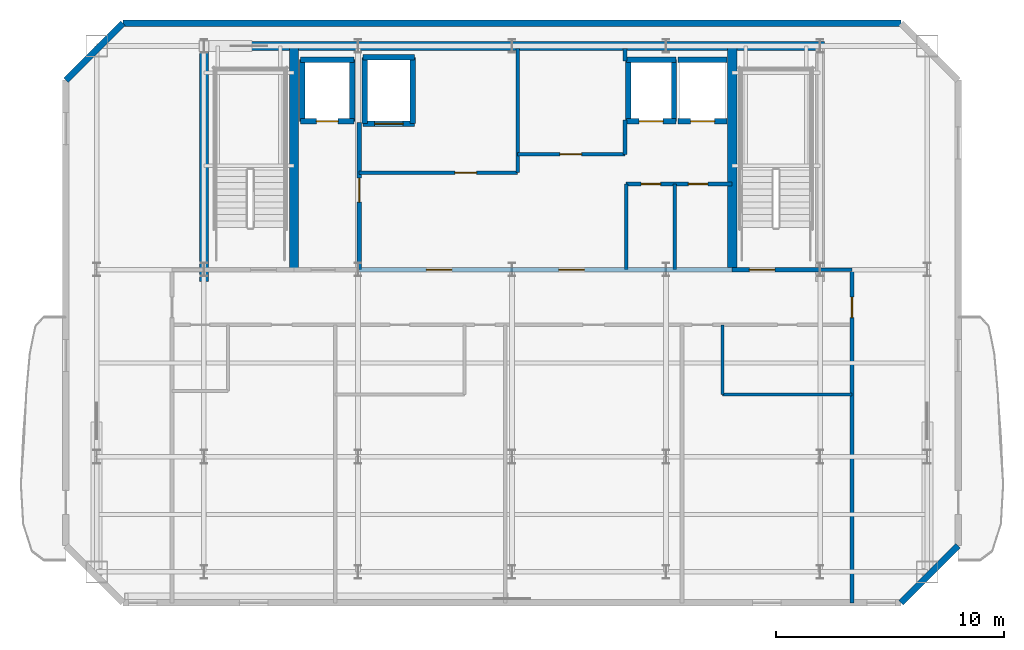
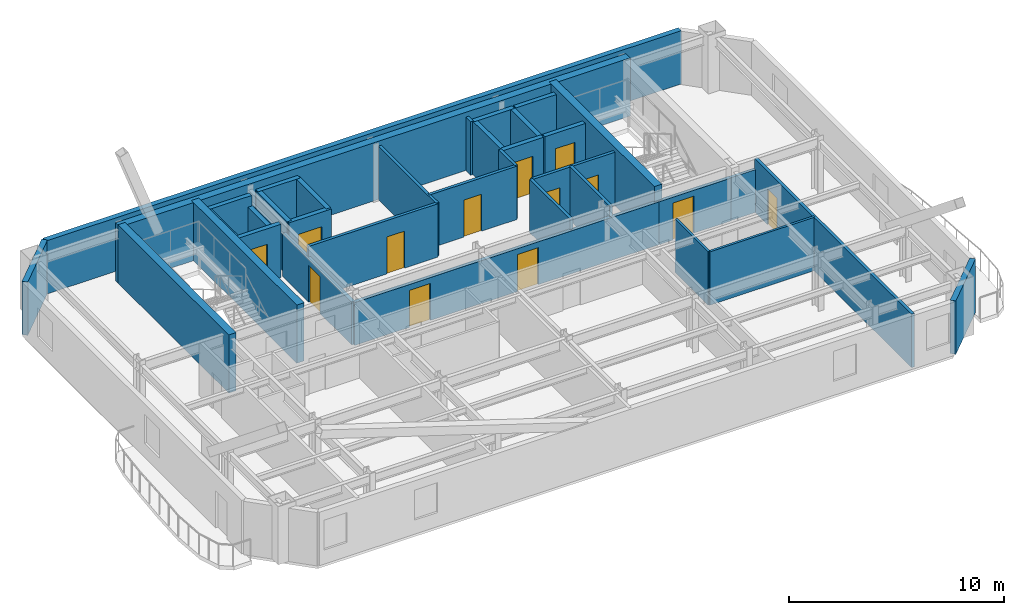
# One storey, part 3 of 6: 36 walls, 13 doors, 13 openings.
"""IFC4 building model written with IfcOpenShell, lengths in metres."""

import ifcopenshell
import ifcopenshell.guid

model = None  # the IFC model being written
_history = None  # IfcOwnerHistory: only IFC2X3 demands one
_inside = {}  # id of a spatial element -> (the spatial element, [elements in it])
_under = {}  # id of a project, library or spatial element -> (it, [spatial elements below it])
_declared = {}  # id of a project -> (the project, [libraries it declares])
_typed = {}  # id of a type object -> (the type object, [elements of that type])
_made_of = {}  # id of a material, layer set ... -> (it, [elements and type objects made of it])


def new_model(schema):
    """Start an empty IFC model of exactly this schema.

    Asked for "IFC4X3", IfcOpenShell would pick the latest addendum, in which some entities
    have other attributes; the version numbers below select the first issue.
    IFC2X3 requires an IfcOwnerHistory on every rooted entity: one is made here for all.
    """
    global model, _history
    if schema == "IFC4X3":
        model = ifcopenshell.file(schema_version=(4, 3, 0, 0))
    else:
        model = ifcopenshell.file(schema=schema)
    _inside.clear()
    _under.clear()
    _declared.clear()
    _typed.clear()
    _made_of.clear()
    _history = None
    if model.schema == "IFC2X3":
        org = make("IfcOrganization", Name="unknown")
        user = make(
            "IfcPersonAndOrganization",
            ThePerson=make("IfcPerson", FamilyName="unknown"),
            TheOrganization=org,
        )
        app = make(
            "IfcApplication",
            ApplicationDeveloper=org,
            Version="unknown",
            ApplicationFullName="unknown",
            ApplicationIdentifier="unknown",
        )
        _history = make(
            "IfcOwnerHistory",
            OwningUser=user,
            OwningApplication=app,
            ChangeAction="ADDED",
            CreationDate=0,
        )
    return model


def make(cls, **values):
    """One entity of the class cls with the attributes given. An attribute that is None is left unset."""
    return model.create_entity(
        cls, **{name: value for name, value in values.items() if value is not None}
    )


def rooted(cls, **values):
    """An entity with a GlobalId (a new one), such as an element, a storey or a relation."""
    return make(cls, GlobalId=ifcopenshell.guid.new(), OwnerHistory=_history, **values)


def si_unit(unit_type, name, prefix=None):
    """IfcSIUnit, for example si_unit("LENGTHUNIT", "METRE", prefix="MILLI")."""
    return make("IfcSIUnit", UnitType=unit_type, Prefix=prefix, Name=name)


def assignment(units):
    """IfcUnitAssignment: the units of a project."""
    return None if units is None else make("IfcUnitAssignment", Units=units)


def point(xyz):
    """IfcCartesianPoint."""
    return None if xyz is None else make("IfcCartesianPoint", Coordinates=xyz)


def direction(xyz):
    """IfcDirection."""
    return None if xyz is None else make("IfcDirection", DirectionRatios=xyz)


def frame(location, z_axis=None, x_axis=None):
    """IfcAxis2Placement3D, a coordinate frame: its origin and axes. An axis left out is left unset."""
    return make(
        "IfcAxis2Placement3D",
        Location=point(location),
        Axis=direction(z_axis),
        RefDirection=direction(x_axis),
    )


def frame_2d(location, x_axis=None):
    """IfcAxis2Placement2D, a coordinate frame in the plane: its origin and x axis."""
    return make(
        "IfcAxis2Placement2D", Location=point(location), RefDirection=direction(x_axis)
    )


def origin():
    """The frame at (0, 0, 0) with its axes left unset."""
    return frame((0.0, 0.0, 0.0))


def place(relative_to, where):
    """IfcLocalPlacement: puts the frame where relative to a parent placement (None: the world)."""
    return make(
        "IfcLocalPlacement", PlacementRelTo=relative_to, RelativePlacement=where
    )


def context(
    kind, dimensions, precision=None, world=None, true_north=None, identifier=None
):
    """IfcGeometricRepresentationContext, for example the 3D "Model" context."""
    return make(
        "IfcGeometricRepresentationContext",
        ContextIdentifier=identifier,
        ContextType=kind,
        CoordinateSpaceDimension=dimensions,
        Precision=precision,
        WorldCoordinateSystem=world,
        TrueNorth=true_north,
    )


def subcontext(parent, identifier, kind, view, scale=None):
    """IfcGeometricRepresentationSubContext, for example "Body" below "Model"."""
    return make(
        "IfcGeometricRepresentationSubContext",
        ContextIdentifier=identifier,
        ContextType=kind,
        ParentContext=parent,
        TargetScale=scale,
        TargetView=view,
    )


def project(units=None, contexts=None):
    """IfcProject with its units and contexts."""
    return rooted(
        "IfcProject",
        Name="project",
        RepresentationContexts=contexts,
        UnitsInContext=assignment(units),
    )


def spatial(cls, under=None, at=None, **own):
    """A site, building, storey or space (cls), placed at a placement, below another one or the project."""
    s = rooted(cls, ObjectPlacement=at, **own)
    if under is not None:
        _under.setdefault(under.id(), (under, []))[1].append(s)
    return s


def profile(cls, at=None, kind="AREA", **sizes):
    """A parametric profile (cls). Its sizes go by their IFC names, for example OverallWidth=200.0."""
    return make(cls, ProfileType=kind, Position=at, **sizes)


def rectangle(**sizes):
    """IfcRectangleProfileDef."""
    return profile("IfcRectangleProfileDef", **sizes)


def extrude(swept, where, along, depth):
    """IfcExtrudedAreaSolid: the profile swept, set in the frame where, extruded along a direction by depth."""
    return make(
        "IfcExtrudedAreaSolid",
        SweptArea=swept,
        Position=where,
        ExtrudedDirection=direction(along),
        Depth=depth,
    )


def shape(context_of_items, identifier, shape_type, items):
    """IfcShapeRepresentation: the items that make up one representation, for example the "Body"."""
    return make(
        "IfcShapeRepresentation",
        ContextOfItems=context_of_items,
        RepresentationIdentifier=identifier,
        RepresentationType=shape_type,
        Items=items,
    )


def material(Name=None, Category=None):
    """IfcMaterial."""
    return make("IfcMaterial", Name=Name, Category=Category)


def layer(
    of_material, thickness, ventilated=None, Name=None, Category=None, Priority=None
):
    """IfcMaterialLayer: one layer of a wall or slab, of a material (None: an air gap)."""
    return make(
        "IfcMaterialLayer",
        Material=of_material,
        LayerThickness=thickness,
        IsVentilated=ventilated,
        Name=Name,
        Category=Category,
        Priority=Priority,
    )


def layer_set(layers, Name=None):
    """IfcMaterialLayerSet."""
    return make("IfcMaterialLayerSet", MaterialLayers=layers, LayerSetName=Name)


def made_of(thing, what):
    """Note that an element or type object is made of a material, layer set ...; save() writes the relation."""
    if what is not None:
        _made_of.setdefault(what.id(), (what, []))[1].append(thing)
    return thing


def type_object(cls, material=None, **own):
    """A type object (cls), such as IfcWallType, which elements share."""
    return made_of(rooted(cls, **own), material)


def element(
    cls,
    number,
    at=None,
    inside=None,
    cuts=None,
    type_object=None,
    material=None,
    context=None,
    identifier="Body",
    shape_type=None,
    held_by="IfcProductDefinitionShape",
    body=None,
    shapes=None,
    **own,
):
    """One element of the class cls, such as IfcWall. Its Tag is "e" and its number.

    at: its placement. inside: the storey or other place that contains it. cuts: it is an
    opening in that element (IfcRelVoidsElement). A single representation is given by context,
    identifier, shape_type and body (its items); several are given by shapes. held_by: the class
    of the entity that holds the representations. save() writes the other relations.
    """
    e = rooted(cls, Tag="e%d" % number, ObjectPlacement=at, **own)
    if body is not None:
        shapes = [shape(context, identifier, shape_type, body)]
    if shapes is not None:
        e.Representation = make(held_by, Representations=shapes)
    if inside is not None:
        _inside.setdefault(inside.id(), (inside, []))[1].append(e)
    if cuts is not None:
        rooted(
            "IfcRelVoidsElement", RelatingBuildingElement=cuts, RelatedOpeningElement=e
        )
    if type_object is not None:
        _typed.setdefault(type_object.id(), (type_object, []))[1].append(e)
    return made_of(e, material)


def fill(opening, filler):
    """IfcRelFillsElement: the door or window that sits in an opening."""
    return rooted(
        "IfcRelFillsElement",
        RelatingOpeningElement=opening,
        RelatedBuildingElement=filler,
    )


def aggregate(whole, parts):
    """IfcRelAggregates: a whole, such as a stair, and the parts it consists of."""
    return rooted("IfcRelAggregates", RelatingObject=whole, RelatedObjects=parts)


def save(model, path):
    """Write the relations noted so far, then the file.

    IfcRelAggregates (storeys below a building ...), IfcRelContainedInSpatialStructure (elements
    in a storey), IfcRelDefinesByType, IfcRelAssociatesMaterial and IfcRelDeclares: one each for
    every whole, place, type object, material and project.
    """
    for whole, parts in _under.values():
        aggregate(whole, parts)
    for where, things in _inside.values():
        rooted(
            "IfcRelContainedInSpatialStructure",
            RelatedElements=things,
            RelatingStructure=where,
        )
    for kind, things in _typed.values():
        rooted("IfcRelDefinesByType", RelatedObjects=things, RelatingType=kind)
    for what, things in _made_of.values():
        rooted("IfcRelAssociatesMaterial", RelatedObjects=things, RelatingMaterial=what)
    for by, libraries in _declared.values():
        rooted("IfcRelDeclares", RelatingContext=by, RelatedDefinitions=libraries)
    model.write(path)


model = new_model("IFC4")

# Units and contexts
model_context = context("Model", 3, precision=1e-05, world=origin(), true_north=direction((0.0, 1.0)))
body_context = subcontext(model_context, "Body", "Model", "MODEL_VIEW")
ifc_project = project(units=[si_unit("LENGTHUNIT", "METRE"), si_unit("AREAUNIT", "SQUARE_METRE"), si_unit("VOLUMEUNIT", "CUBIC_METRE"), si_unit("PLANEANGLEUNIT", "RADIAN"), si_unit("MASSUNIT", "GRAM", prefix="KILO")], contexts=[model_context])

# Site, building, storey
site_placement = place(None, origin())
site = spatial("IfcSite", under=ifc_project, at=site_placement, CompositionType="ELEMENT")
building_placement = place(site_placement, origin())
building = spatial("IfcBuilding", under=site, at=building_placement, Name="Haevon Station Towers", CompositionType="ELEMENT")
storey_placement = place(building_placement, frame((0.0, 0.0, 262.5)))
storey = spatial("IfcBuildingStorey", under=building, at=storey_placement, Name="L73", CompositionType="ELEMENT", Elevation=262.5)

# Wall, opening, door
ifc_material_1 = material(Name="Gypsum board on steel stud", Category="steel")
ifc_layer_1 = layer(ifc_material_1, 0.199951171875)
ifc_layer_set_1 = layer_set([ifc_layer_1], Name="Gypsum board on steel stud")
wall_type_1 = type_object("IfcWallType", Name="WL-COR200", PredefinedType="PARTITIONING", material=ifc_layer_set_1)
wall_1_placement = place(storey_placement, frame((47.14990234375, 38.199951171875, 0.0), z_axis=(0.0, 0.0, 1.0), x_axis=(1.0, 0.0, 0.0)))
wall_1 = element("IfcWall", 1, at=wall_1_placement, inside=storey, type_object=wall_type_1, Name="WL-ST-ST2-L73", PredefinedType="PARTITIONING", context=body_context, shape_type="SweptSolid", body=[
    extrude(rectangle(XDim=3.85009765625, YDim=0.199951171875, at=frame_2d((1.925048828125, 0.0))), origin(), (0.0, 0.0, 1.0), 2.429931640625),
])
opening_1_placement = place(wall_1_placement, frame((0.75, 0.0, 0.0)))
opening_1 = element("IfcOpeningElement", 2, at=opening_1_placement, cuts=wall_1, Name="Opening DR-ST-ST2-L73", PredefinedType="OPENING", context=body_context, shape_type="SweptSolid", body=[
    extrude(rectangle(XDim=1.1201171875, YDim=2.10009765625, at=frame_2d((0.56005859375, 1.050048828125))), frame((0.0, 0.10986328125, 0.0), z_axis=(0.0, -1.0, 0.0), x_axis=(1.0, 0.0, 0.0)), (0.0, 0.0, 1.0), 0.219970703125),
])
ifc_material_2 = material(Name="Engineered oak timber", Category="wood")
door_type_1 = type_object("IfcDoorType", Name="DR-ST-1120", OperationType="NOTDEFINED", PredefinedType="DOOR", material=ifc_material_2)
door_1_placement = place(opening_1_placement, origin())
door_1 = element("IfcDoor", 3, at=door_1_placement, inside=storey, type_object=door_type_1, Name="L73 Escape Stair ST2 Fire Door", OperationType="SINGLE_SWING_LEFT", OverallHeight=2.10009765625, OverallWidth=1.1201171875, PredefinedType="DOOR", context=body_context, shape_type="SweptSolid", body=[
    extrude(rectangle(XDim=1.1201171875, YDim=2.10009765625, at=frame_2d((0.56005859375, 1.050048828125))), frame((0.0, 0.02490234375, 0.0), z_axis=(0.0, -1.0, 0.0), x_axis=(1.0, 0.0, 0.0)), (0.0, 0.0, 1.0), 0.050048828125),
])
fill(opening_1, door_1)

wall_2_placement = place(storey_placement, frame((30.800048828125, 38.199951171875, 0.0), z_axis=(0.0, 0.0, 1.0), x_axis=(0.0, 1.0, 0.0)))
wall_2 = element("IfcWall", 4, at=wall_2_placement, inside=storey, type_object=wall_type_1, Name="WL-T1FFL-L73-E", PredefinedType="PARTITIONING", context=body_context, shape_type="SweptSolid", body=[
    extrude(rectangle(XDim=6.449951171875, YDim=0.199951171875, at=frame_2d((3.22509765625, 0.0))), origin(), (0.0, 0.0, 1.0), 2.429931640625),
])
opening_2_placement = place(wall_2_placement, frame((2.9599609375, 0.0, 0.0)))
opening_2 = element("IfcOpeningElement", 5, at=opening_2_placement, cuts=wall_2, Name="Opening DR-T1FFL-L73-E", PredefinedType="OPENING", context=body_context, shape_type="SweptSolid", body=[
    extrude(rectangle(XDim=1.050048828125, YDim=2.10009765625, at=frame_2d((0.52490234375, 1.050048828125))), frame((0.0, 0.10986328125, 0.0), z_axis=(0.0, -1.0, 0.0), x_axis=(1.0, 0.0, 0.0)), (0.0, 0.0, 1.0), 0.219970703125),
])
door_type_2 = type_object("IfcDoorType", Name="DR-FD60-1050", OperationType="NOTDEFINED", PredefinedType="DOOR", material=ifc_material_2)
door_2_placement = place(opening_2_placement, origin())
door_2 = element("IfcDoor", 6, at=door_2_placement, inside=storey, type_object=door_type_2, Name="L73 Tower 1 Firefighting Lift Lobby Door E", OperationType="SINGLE_SWING_RIGHT", OverallHeight=2.10009765625, OverallWidth=1.050048828125, PredefinedType="DOOR", context=body_context, shape_type="SweptSolid", body=[
    extrude(rectangle(XDim=1.050048828125, YDim=2.10009765625, at=frame_2d((0.52490234375, 1.050048828125))), frame((0.0, 0.02490234375, 0.0), z_axis=(0.0, -1.0, 0.0), x_axis=(1.0, 0.0, 0.0)), (0.0, 0.0, 1.0), 0.050048828125),
])
fill(opening_2, door_2)

# Wall, openings, doors
wall_3_placement = place(storey_placement, frame((30.800048828125, 38.199951171875, 0.0), z_axis=(0.0, 0.0, 1.0), x_axis=(1.0, 0.0, 0.0)))
wall_3 = element("IfcWall", 7, at=wall_3_placement, inside=storey, type_object=wall_type_1, Name="WL-T1CLB-L73", PredefinedType="PARTITIONING", context=body_context, shape_type="SweptSolid", body=[
    extrude(rectangle(XDim=16.349853515625, YDim=0.199951171875, at=frame_2d((8.1748046875, 0.0))), origin(), (0.0, 0.0, 1.0), 2.429931640625),
])
opening_3_placement = place(wall_3_placement, frame((2.949951171875, 0.0, 0.0)))
opening_3 = element("IfcOpeningElement", 8, at=opening_3_placement, cuts=wall_3, Name="Opening DR-T1CLB-L73-1", PredefinedType="OPENING", context=body_context, shape_type="SweptSolid", body=[
    extrude(rectangle(XDim=1.1201171875, YDim=2.10009765625, at=frame_2d((0.56005859375, 1.050048828125))), frame((0.0, 0.10986328125, 0.0), z_axis=(0.0, -1.0, 0.0), x_axis=(1.0, 0.0, 0.0)), (0.0, 0.0, 1.0), 0.219970703125),
])
opening_4_placement = place(wall_3_placement, frame((8.75, 0.0, 0.0)))
opening_4 = element("IfcOpeningElement", 9, at=opening_4_placement, cuts=wall_3, Name="Opening DR-T1CLB-L73-2", PredefinedType="OPENING", context=body_context, shape_type="SweptSolid", body=[
    extrude(rectangle(XDim=1.1201171875, YDim=2.10009765625, at=frame_2d((0.56005859375, 1.050048828125))), frame((0.0, 0.10986328125, 0.0), z_axis=(0.0, -1.0, 0.0), x_axis=(1.0, 0.0, 0.0)), (0.0, 0.0, 1.0), 0.219970703125),
])
door_3_placement = place(opening_3_placement, origin())
door_3 = element("IfcDoor", 10, at=door_3_placement, inside=storey, type_object=door_type_1, Name="L73 Tower 1 Core Lift Lobby Door 1", OperationType="SINGLE_SWING_RIGHT", OverallHeight=2.10009765625, OverallWidth=1.1201171875, PredefinedType="DOOR", context=body_context, shape_type="SweptSolid", body=[
    extrude(rectangle(XDim=1.1201171875, YDim=2.10009765625, at=frame_2d((0.56005859375, 1.050048828125))), frame((0.0, 0.02490234375, 0.0), z_axis=(0.0, -1.0, 0.0), x_axis=(1.0, 0.0, 0.0)), (0.0, 0.0, 1.0), 0.050048828125),
])
fill(opening_3, door_3)
door_4_placement = place(opening_4_placement, origin())
door_4 = element("IfcDoor", 11, at=door_4_placement, inside=storey, type_object=door_type_1, Name="L73 Tower 1 Core Lift Lobby Door 2", OperationType="SINGLE_SWING_LEFT", OverallHeight=2.10009765625, OverallWidth=1.1201171875, PredefinedType="DOOR", context=body_context, shape_type="SweptSolid", body=[
    extrude(rectangle(XDim=1.1201171875, YDim=2.10009765625, at=frame_2d((0.56005859375, 1.050048828125))), frame((0.0, 0.02490234375, 0.0), z_axis=(0.0, -1.0, 0.0), x_axis=(1.0, 0.0, 0.0)), (0.0, 0.0, 1.0), 0.050048828125),
])
fill(opening_4, door_4)

# Walls
ifc_material_3 = material(Name="Concrete C60/75", Category="concrete")
ifc_layer_2 = layer(ifc_material_3, 0.39990234375)
ifc_layer_set_2 = layer_set([ifc_layer_2], Name="Concrete C60/75")
wall_type_2 = type_object("IfcWallType", Name="WL-CR400", PredefinedType="SHEAR", material=ifc_layer_set_2)
wall_4_placement = place(storey_placement, frame((23.800048828125, 48.0, 0.0), z_axis=(0.0, 0.0, 1.0), x_axis=(1.0, 0.0, 0.0)))
element("IfcWall", 12, at=wall_4_placement, inside=storey, type_object=wall_type_2, Name="WL-T1CR-L73-N", PredefinedType="SHEAR", context=body_context, shape_type="SweptSolid", body=[
    extrude(rectangle(XDim=27.39990234375, YDim=0.39990234375, at=frame_2d((13.699951171875, 0.0))), origin(), (0.0, 0.0, 1.0), 3.300048828125),
])
wall_5_placement = place(storey_placement, frame((24.0, 37.679931640625, 0.0), z_axis=(0.0, 0.0, 1.0), x_axis=(0.0, 1.0, 0.0)))
element("IfcWall", 13, at=wall_5_placement, inside=storey, type_object=wall_type_2, Name="WL-T1CR-L73-W", PredefinedType="SHEAR", context=body_context, shape_type="SweptSolid", body=[
    extrude(rectangle(XDim=10.320068359375, YDim=0.39990234375, at=frame_2d((5.16015625, 0.0))), origin(), (0.0, 0.0, 1.0), 3.300048828125),
])
for number, where, z_axis, x_axis, name in (
    (14, (27.949951171875, 38.199951171875, 0.0), (0.0, 0.0, 1.0), (0.0, 1.0, 0.0), "WL-T1CR-L73-M1"),
    (15, (47.14990234375, 38.199951171875, 0.0), (0.0, 0.0, 1.0), (0.0, 1.0, 0.0), "WL-T1CR-L73-M2"),
):
    element("IfcWall", number, at=place(storey_placement, frame(where, z_axis=z_axis, x_axis=x_axis)), inside=storey, type_object=wall_type_2, Name=name, PredefinedType="SHEAR", context=body_context, shape_type="SweptSolid", body=[
        extrude(rectangle(XDim=9.800048828125, YDim=0.39990234375, at=frame_2d((4.89990234375, 0.0))), origin(), (0.0, 0.0, 1.0), 3.300048828125),
    ])
ifc_material_4 = material(Name="Precast concrete C45/55", Category="concrete")
ifc_layer_3 = layer(ifc_material_4, 0.280029296875)
ifc_layer_set_3 = layer_set([ifc_layer_3], Name="Precast concrete C45/55")
wall_type_3 = type_object("IfcWallType", Name="WL-EXT-PIER280", PredefinedType="SOLIDWALL", material=ifc_layer_set_3)
wall_6_placement = place(storey_placement, frame((17.949951171875, 46.5, 0.0), z_axis=(0.0, 0.0, 1.0), x_axis=(0.707106781187, 0.707106781187, 0.0)))
element("IfcWall", 16, at=wall_6_placement, inside=storey, type_object=wall_type_3, Name="WL-T1-L73-NWC", PredefinedType="SOLIDWALL", context=body_context, shape_type="SweptSolid", body=[
    extrude(rectangle(XDim=3.53564453125, YDim=0.280029296875, at=frame_2d((1.767822265625, 0.0))), origin(), (0.0, 0.0, 1.0), 3.030029296875),
])
wall_7_placement = place(storey_placement, frame((20.449951171875, 49.0, 0.0), z_axis=(0.0, 0.0, 1.0), x_axis=(1.0, 0.0, 0.0)))
element("IfcWall", 17, at=wall_7_placement, inside=storey, type_object=wall_type_3, Name="WL-T1-L73-N", PredefinedType="SOLIDWALL", context=body_context, shape_type="SweptSolid", body=[
    extrude(rectangle(XDim=34.10009765625, YDim=0.280029296875, at=frame_2d((17.050048828125, 0.0))), origin(), (0.0, 0.0, 1.0), 3.030029296875),
])
wall_8_placement = place(storey_placement, frame((57.050048828125, 26.10009765625, 0.0), z_axis=(0.0, 0.0, 1.0), x_axis=(-0.707106781187, -0.707106781187, 0.0)))
element("IfcWall", 18, at=wall_8_placement, inside=storey, type_object=wall_type_3, Name="WL-T1-L73-SEC", PredefinedType="SOLIDWALL", context=body_context, shape_type="SweptSolid", body=[
    extrude(rectangle(XDim=3.53564453125, YDim=0.280029296875, at=frame_2d((1.767822265625, 0.0))), origin(), (0.0, 0.0, 1.0), 3.030029296875),
])
ifc_layer_4 = layer(ifc_material_1, 0.125)
ifc_layer_set_4 = layer_set([ifc_layer_4], Name="Gypsum board on steel stud")
wall_type_4 = type_object("IfcWallType", Name="WL-PRT125", PredefinedType="PARTITIONING", material=ifc_layer_set_4)
wall_9_placement = place(storey_placement, frame((46.72998046875, 32.72998046875, 0.0), z_axis=(0.0, 0.0, 1.0), x_axis=(1.0, 0.0, 0.0)))
element("IfcWall", 19, at=wall_9_placement, inside=storey, type_object=wall_type_4, Name="WL-T1PT-L73-12", PredefinedType="PARTITIONING", context=body_context, shape_type="SweptSolid", body=[
    extrude(rectangle(XDim=5.669921875, YDim=0.125, at=frame_2d((2.8349609375, 0.0))), origin(), (0.0, 0.0, 1.0), 3.030029296875),
])
wall_10_placement = place(storey_placement, frame((46.72998046875, 32.72998046875, 0.0), z_axis=(0.0, 0.0, 1.0), x_axis=(0.0, 1.0, 0.0)))
element("IfcWall", 20, at=wall_10_placement, inside=storey, type_object=wall_type_4, Name="WL-T1PT-L73-13", PredefinedType="PARTITIONING", context=body_context, shape_type="SweptSolid", body=[
    extrude(rectangle(XDim=3.050048828125, YDim=0.125, at=frame_2d((1.52490234375, 0.0))), origin(), (0.0, 0.0, 1.0), 3.030029296875),
])

# Wall, opening, door
ifc_layer_5 = layer(ifc_material_1, 0.159912109375)
ifc_layer_set_5 = layer_set([ifc_layer_5], Name="Gypsum board on steel stud")
wall_type_5 = type_object("IfcWallType", Name="WL-PRT160", PredefinedType="PARTITIONING", material=ifc_layer_set_5)
wall_11_placement = place(storey_placement, frame((30.800048828125, 42.449951171875, 0.0), z_axis=(0.0, 0.0, 1.0), x_axis=(1.0, 0.0, 0.0)))
wall_11 = element("IfcWall", 21, at=wall_11_placement, inside=storey, type_object=wall_type_5, Name="WL-T1CW-L73-01", PredefinedType="PARTITIONING", context=body_context, shape_type="SweptSolid", body=[
    extrude(rectangle(XDim=6.949951171875, YDim=0.159912109375, at=frame_2d((3.47509765625, 0.0))), origin(), (0.0, 0.0, 1.0), 3.030029296875),
])
opening_5_placement = place(wall_11_placement, frame((4.199951171875, 0.0, 0.0)))
opening_5 = element("IfcOpeningElement", 22, at=opening_5_placement, cuts=wall_11, Name="Opening DR-WL-T1CW-L73-01-1", PredefinedType="OPENING", context=body_context, shape_type="SweptSolid", body=[
    extrude(rectangle(XDim=0.949951171875, YDim=2.10009765625, at=frame_2d((0.47509765625, 1.050048828125))), frame((0.0, 0.08984375, 0.0), z_axis=(0.0, -1.0, 0.0), x_axis=(1.0, 0.0, 0.0)), (0.0, 0.0, 1.0), 0.179931640625),
])
door_type_3 = type_object("IfcDoorType", Name="DR-FD60-950", OperationType="NOTDEFINED", PredefinedType="DOOR", material=ifc_material_2)
door_5_placement = place(opening_5_placement, origin())
door_5 = element("IfcDoor", 23, at=door_5_placement, inside=storey, type_object=door_type_3, Name="L73 Tower 1 Core Room Door 1-1", OperationType="SINGLE_SWING_RIGHT", OverallHeight=2.10009765625, OverallWidth=0.949951171875, PredefinedType="DOOR", context=body_context, shape_type="SweptSolid", body=[
    extrude(rectangle(XDim=0.949951171875, YDim=2.10009765625, at=frame_2d((0.47509765625, 1.050048828125))), frame((0.0, 0.02490234375, 0.0), z_axis=(0.0, -1.0, 0.0), x_axis=(1.0, 0.0, 0.0)), (0.0, 0.0, 1.0), 0.050048828125),
])
fill(opening_5, door_5)

# Wall
wall_12_placement = place(storey_placement, frame((37.75, 42.449951171875, 0.0), z_axis=(0.0, 0.0, 1.0), x_axis=(0.0, 1.0, 0.0)))
element("IfcWall", 24, at=wall_12_placement, inside=storey, type_object=wall_type_5, Name="WL-T1CW-L73-02", PredefinedType="PARTITIONING", context=body_context, shape_type="SweptSolid", body=[
    extrude(rectangle(XDim=5.449951171875, YDim=0.159912109375, at=frame_2d((2.72509765625, 0.0))), origin(), (0.0, 0.0, 1.0), 3.030029296875),
])

# Wall, opening, door
wall_13_placement = place(storey_placement, frame((37.75, 43.25, 0.0), z_axis=(0.0, 0.0, 1.0), x_axis=(1.0, 0.0, 0.0)))
wall_13 = element("IfcWall", 25, at=wall_13_placement, inside=storey, type_object=wall_type_5, Name="WL-T1CW-L73-03", PredefinedType="PARTITIONING", context=body_context, shape_type="SweptSolid", body=[
    extrude(rectangle(XDim=4.699951171875, YDim=0.159912109375, at=frame_2d((2.35009765625, 0.0))), origin(), (0.0, 0.0, 1.0), 3.030029296875),
])
opening_6_placement = place(wall_13_placement, frame((1.85009765625, 0.0, 0.0)))
opening_6 = element("IfcOpeningElement", 26, at=opening_6_placement, cuts=wall_13, Name="Opening DR-WL-T1CW-L73-03-1", PredefinedType="OPENING", context=body_context, shape_type="SweptSolid", body=[
    extrude(rectangle(XDim=0.949951171875, YDim=2.10009765625, at=frame_2d((0.47509765625, 1.050048828125))), frame((0.0, 0.08984375, 0.0), z_axis=(0.0, -1.0, 0.0), x_axis=(1.0, 0.0, 0.0)), (0.0, 0.0, 1.0), 0.179931640625),
])
door_6_placement = place(opening_6_placement, origin())
door_6 = element("IfcDoor", 27, at=door_6_placement, inside=storey, type_object=door_type_3, Name="L73 Tower 1 Core Room Door 3-1", OperationType="SINGLE_SWING_LEFT", OverallHeight=2.10009765625, OverallWidth=0.949951171875, PredefinedType="DOOR", context=body_context, shape_type="SweptSolid", body=[
    extrude(rectangle(XDim=0.949951171875, YDim=2.10009765625, at=frame_2d((0.47509765625, 1.050048828125))), frame((0.0, 0.02490234375, 0.0), z_axis=(0.0, -1.0, 0.0), x_axis=(1.0, 0.0, 0.0)), (0.0, 0.0, 1.0), 0.050048828125),
])
fill(opening_6, door_6)

# Walls
wall_14_placement = place(storey_placement, frame((42.449951171875, 43.25, 0.0), z_axis=(0.0, 0.0, 1.0), x_axis=(0.0, 1.0, 0.0)))
element("IfcWall", 28, at=wall_14_placement, inside=storey, type_object=wall_type_5, Name="WL-T1CW-L73-04", PredefinedType="PARTITIONING", context=body_context, shape_type="SweptSolid", body=[
    extrude(rectangle(XDim=1.5, YDim=0.159912109375, at=frame_2d((0.75, 0.0))), origin(), (0.0, 0.0, 1.0), 3.030029296875),
])
wall_15_placement = place(storey_placement, frame((42.449951171875, 47.35009765625, 0.0), z_axis=(0.0, 0.0, 1.0), x_axis=(0.0, 1.0, 0.0)))
element("IfcWall", 29, at=wall_15_placement, inside=storey, type_object=wall_type_5, Name="WL-T1CW-L73-05", PredefinedType="PARTITIONING", context=body_context, shape_type="SweptSolid", body=[
    extrude(rectangle(XDim=0.5498046875, YDim=0.159912109375, at=frame_2d((0.27490234375, 0.0))), origin(), (0.0, 0.0, 1.0), 3.030029296875),
])
for number, where, z_axis, x_axis, name in (
    (30, (42.5, 38.199951171875, 0.0), (0.0, 0.0, 1.0), (0.0, 1.0, 0.0), "WL-T1CW-L73-06"),
    (31, (44.6298828125, 38.199951171875, 0.0), (0.0, 0.0, 1.0), (0.0, 1.0, 0.0), "WL-T1CW-L73-07"),
):
    element("IfcWall", number, at=place(storey_placement, frame(where, z_axis=z_axis, x_axis=x_axis)), inside=storey, type_object=wall_type_5, Name=name, PredefinedType="PARTITIONING", context=body_context, shape_type="SweptSolid", body=[
        extrude(rectangle(XDim=3.75, YDim=0.159912109375, at=frame_2d((1.875, 0.0))), origin(), (0.0, 0.0, 1.0), 3.030029296875),
    ])

# Wall, openings, doors
wall_16_placement = place(storey_placement, frame((42.5, 41.949951171875, 0.0), z_axis=(0.0, 0.0, 1.0), x_axis=(1.0, 0.0, 0.0)))
wall_16 = element("IfcWall", 32, at=wall_16_placement, inside=storey, type_object=wall_type_5, Name="WL-T1CW-L73-08", PredefinedType="PARTITIONING", context=body_context, shape_type="SweptSolid", body=[
    extrude(rectangle(XDim=4.64990234375, YDim=0.159912109375, at=frame_2d((2.324951171875, 0.0))), origin(), (0.0, 0.0, 1.0), 3.030029296875),
])
opening_7_placement = place(wall_16_placement, frame((0.659912109375, 0.0, 0.0)))
opening_7 = element("IfcOpeningElement", 33, at=opening_7_placement, cuts=wall_16, Name="Opening DR-WL-T1CW-L73-08-1", PredefinedType="OPENING", context=body_context, shape_type="SweptSolid", body=[
    extrude(rectangle(XDim=0.85009765625, YDim=2.050048828125, at=frame_2d((0.425048828125, 1.02490234375))), frame((0.0, 0.08984375, 0.0), z_axis=(0.0, -1.0, 0.0), x_axis=(1.0, 0.0, 0.0)), (0.0, 0.0, 1.0), 0.179931640625),
])
opening_8_placement = place(wall_16_placement, frame((2.72998046875, 0.0, 0.0)))
opening_8 = element("IfcOpeningElement", 34, at=opening_8_placement, cuts=wall_16, Name="Opening DR-WL-T1CW-L73-08-2", PredefinedType="OPENING", context=body_context, shape_type="SweptSolid", body=[
    extrude(rectangle(XDim=0.85009765625, YDim=2.050048828125, at=frame_2d((0.425048828125, 1.02490234375))), frame((0.0, 0.08984375, 0.0), z_axis=(0.0, -1.0, 0.0), x_axis=(1.0, 0.0, 0.0)), (0.0, 0.0, 1.0), 0.179931640625),
])
door_type_4 = type_object("IfcDoorType", Name="DR-FD30-850", OperationType="NOTDEFINED", PredefinedType="DOOR", material=ifc_material_2)
door_7_placement = place(opening_7_placement, origin())
door_7 = element("IfcDoor", 35, at=door_7_placement, inside=storey, type_object=door_type_4, Name="L73 Tower 1 Core Room Door 8-1", OperationType="SINGLE_SWING_RIGHT", OverallHeight=2.050048828125, OverallWidth=0.85009765625, PredefinedType="DOOR", context=body_context, shape_type="SweptSolid", body=[
    extrude(rectangle(XDim=0.85009765625, YDim=2.050048828125, at=frame_2d((0.425048828125, 1.02490234375))), frame((0.0, 0.02490234375, 0.0), z_axis=(0.0, -1.0, 0.0), x_axis=(1.0, 0.0, 0.0)), (0.0, 0.0, 1.0), 0.050048828125),
])
fill(opening_7, door_7)
door_8_placement = place(opening_8_placement, origin())
door_8 = element("IfcDoor", 36, at=door_8_placement, inside=storey, type_object=door_type_4, Name="L73 Tower 1 Core Room Door 8-2", OperationType="SINGLE_SWING_LEFT", OverallHeight=2.050048828125, OverallWidth=0.85009765625, PredefinedType="DOOR", context=body_context, shape_type="SweptSolid", body=[
    extrude(rectangle(XDim=0.85009765625, YDim=2.050048828125, at=frame_2d((0.425048828125, 1.02490234375))), frame((0.0, 0.02490234375, 0.0), z_axis=(0.0, -1.0, 0.0), x_axis=(1.0, 0.0, 0.0)), (0.0, 0.0, 1.0), 0.050048828125),
])
fill(opening_8, door_8)

# Wall
wall_17_placement = place(storey_placement, frame((51.0, 38.199951171875, 0.0), z_axis=(0.0, 0.0, 1.0), x_axis=(1.0, 0.0, 0.0)))
element("IfcWall", 37, at=wall_17_placement, inside=storey, type_object=wall_type_5, Name="WL-T1PT-L73-02", PredefinedType="PARTITIONING", context=body_context, shape_type="SweptSolid", body=[
    extrude(rectangle(XDim=1.39990234375, YDim=0.159912109375, at=frame_2d((0.699951171875, 0.0))), origin(), (0.0, 0.0, 1.0), 2.429931640625),
])

# Wall, opening, door
wall_18_placement = place(storey_placement, frame((52.39990234375, 23.60009765625, 0.0), z_axis=(0.0, 0.0, 1.0), x_axis=(0.0, 1.0, 0.0)))
wall_18 = element("IfcWall", 38, at=wall_18_placement, inside=storey, type_object=wall_type_5, Name="WL-T1PT-L73-04", PredefinedType="PARTITIONING", context=body_context, shape_type="SweptSolid", body=[
    extrude(rectangle(XDim=14.599853515625, YDim=0.159912109375, at=frame_2d((7.2998046875, 0.0))), origin(), (0.0, 0.0, 1.0), 3.030029296875),
])
opening_9_placement = place(wall_18_placement, frame((12.5, 0.0, 0.0)))
opening_9 = element("IfcOpeningElement", 39, at=opening_9_placement, cuts=wall_18, Name="Opening DR-WL-T1PT-L73-04-01", PredefinedType="OPENING", context=body_context, shape_type="SweptSolid", body=[
    extrude(rectangle(XDim=0.89990234375, YDim=2.050048828125, at=frame_2d((0.449951171875, 1.02490234375))), frame((0.0, 0.08984375, 0.0), z_axis=(0.0, -1.0, 0.0), x_axis=(1.0, 0.0, 0.0)), (0.0, 0.0, 1.0), 0.179931640625),
])
door_type_5 = type_object("IfcDoorType", Name="DR-INT-900", OperationType="NOTDEFINED", PredefinedType="DOOR", material=ifc_material_2)
door_9_placement = place(opening_9_placement, origin())
door_9 = element("IfcDoor", 40, at=door_9_placement, inside=storey, type_object=door_type_5, Name="L73 Tower 1 Room Door 4-1", OperationType="SINGLE_SWING_LEFT", OverallHeight=2.050048828125, OverallWidth=0.89990234375, PredefinedType="DOOR", context=body_context, shape_type="SweptSolid", body=[
    extrude(rectangle(XDim=0.89990234375, YDim=2.050048828125, at=frame_2d((0.449951171875, 1.02490234375))), frame((0.0, 0.02490234375, 0.0), z_axis=(0.0, -1.0, 0.0), x_axis=(1.0, 0.0, 0.0)), (0.0, 0.0, 1.0), 0.050048828125),
])
fill(opening_9, door_9)

ifc_material_5 = material(Name="Concrete C40/50", Category="concrete")
ifc_layer_6 = layer(ifc_material_5, 0.239990234375)
ifc_layer_set_6 = layer_set([ifc_layer_6], Name="Concrete C40/50")
wall_type_6 = type_object("IfcWallType", Name="WL-SHF240", PredefinedType="PARTITIONING", material=ifc_layer_set_6)
wall_19_placement = place(storey_placement, frame((28.219970703125, 44.699951171875, 0.0), z_axis=(0.0, 0.0, 1.0), x_axis=(1.0, 0.0, 0.0)))
wall_19 = element("IfcWall", 41, at=wall_19_placement, inside=storey, type_object=wall_type_6, Name="WL-SHF-FL1-L73", PredefinedType="PARTITIONING", context=body_context, shape_type="SweptSolid", body=[
    extrude(rectangle(XDim=2.360107421875, YDim=0.239990234375, at=frame_2d((1.18017578125, 0.0))), origin(), (0.0, 0.0, 1.0), 3.030029296875),
])
opening_10_placement = place(wall_19_placement, frame((0.705078125, 0.0, 0.0)))
opening_10 = element("IfcOpeningElement", 42, at=opening_10_placement, cuts=wall_19, Name="Opening LD-FL1-L73", PredefinedType="OPENING", context=body_context, shape_type="SweptSolid", body=[
    extrude(rectangle(XDim=0.949951171875, YDim=2.14990234375, at=frame_2d((0.47509765625, 1.074951171875))), frame((0.0, 0.1298828125, 0.0), z_axis=(0.0, -1.0, 0.0), x_axis=(1.0, 0.0, 0.0)), (0.0, 0.0, 1.0), 0.260009765625),
])
ifc_material_6 = material(Name="Stainless steel and rated core", Category="steel")
door_type_6 = type_object("IfcDoorType", Name="LD-FL950", OperationType="SLIDING_TO_LEFT", PredefinedType="DOOR", material=ifc_material_6)
door_10_placement = place(opening_10_placement, origin())
door_10 = element("IfcDoor", 43, at=door_10_placement, inside=storey, type_object=door_type_6, Name="L73 Lift FL1 Sliding Landing Door", OperationType="SLIDING_TO_LEFT", OverallHeight=2.14990234375, OverallWidth=0.949951171875, PredefinedType="DOOR", context=body_context, shape_type="SweptSolid", body=[
    extrude(rectangle(XDim=0.949951171875, YDim=2.14990234375, at=frame_2d((0.47509765625, 1.074951171875))), frame((0.0, 0.02490234375, 0.0), z_axis=(0.0, -1.0, 0.0), x_axis=(1.0, 0.0, 0.0)), (0.0, 0.0, 1.0), 0.050048828125),
])
fill(opening_10, door_10)

# Walls
wall_20_placement = place(storey_placement, frame((28.219970703125, 47.39990234375, 0.0), z_axis=(0.0, 0.0, 1.0), x_axis=(1.0, 0.0, 0.0)))
element("IfcWall", 44, at=wall_20_placement, inside=storey, type_object=wall_type_6, Name="WL-SHF-FL1-L73-N", PredefinedType="PARTITIONING", context=body_context, shape_type="SweptSolid", body=[
    extrude(rectangle(XDim=2.360107421875, YDim=0.239990234375, at=frame_2d((1.18017578125, 0.0))), origin(), (0.0, 0.0, 1.0), 3.030029296875),
])
wall_21_placement = place(storey_placement, frame((28.300048828125, 44.699951171875, 0.0), z_axis=(0.0, 0.0, 1.0), x_axis=(0.0, 1.0, 0.0)))
element("IfcWall", 45, at=wall_21_placement, inside=storey, type_object=wall_type_6, Name="WL-SHF-FL1-L73-W", PredefinedType="PARTITIONING", context=body_context, shape_type="SweptSolid", body=[
    extrude(rectangle(XDim=2.699951171875, YDim=0.239990234375, at=frame_2d((1.35009765625, 0.0))), origin(), (0.0, 0.0, 1.0), 3.030029296875),
])
wall_22_placement = place(storey_placement, frame((30.5, 44.699951171875, 0.0), z_axis=(0.0, 0.0, 1.0), x_axis=(0.0, 1.0, 0.0)))
element("IfcWall", 46, at=wall_22_placement, inside=storey, type_object=wall_type_6, Name="WL-SHF-FL1-L73-E", PredefinedType="PARTITIONING", context=body_context, shape_type="SweptSolid", body=[
    extrude(rectangle(XDim=2.699951171875, YDim=0.239990234375, at=frame_2d((1.35009765625, 0.0))), origin(), (0.0, 0.0, 1.0), 2.429931640625),
])

# Wall, opening, door
wall_23_placement = place(storey_placement, frame((30.969970703125, 44.60009765625, 0.0), z_axis=(0.0, 0.0, 1.0), x_axis=(1.0, 0.0, 0.0)))
wall_23 = element("IfcWall", 47, at=wall_23_placement, inside=storey, type_object=wall_type_6, Name="WL-SHF-SL1-L73", PredefinedType="PARTITIONING", context=body_context, shape_type="SweptSolid", body=[
    extrude(rectangle(XDim=2.260009765625, YDim=0.239990234375, at=frame_2d((1.1298828125, 0.0))), origin(), (0.0, 0.0, 1.0), 3.030029296875),
])
opening_11_placement = place(wall_23_placement, frame((0.5048828125, 0.0, 0.0)))
opening_11 = element("IfcOpeningElement", 48, at=opening_11_placement, cuts=wall_23, Name="Opening LD-SL1-L73", PredefinedType="OPENING", context=body_context, shape_type="SweptSolid", body=[
    extrude(rectangle(XDim=1.25, YDim=2.199951171875, at=frame_2d((0.625, 1.10009765625))), frame((0.0, 0.1298828125, 0.0), z_axis=(0.0, -1.0, 0.0), x_axis=(1.0, 0.0, 0.0)), (0.0, 0.0, 1.0), 0.260009765625),
])
door_type_7 = type_object("IfcDoorType", Name="LD-SL1250", OperationType="SLIDING_TO_LEFT", PredefinedType="DOOR", material=ifc_material_6)
door_11_placement = place(opening_11_placement, origin())
door_11 = element("IfcDoor", 49, at=door_11_placement, inside=storey, type_object=door_type_7, Name="L73 Lift SL1 Sliding Landing Door", OperationType="SLIDING_TO_LEFT", OverallHeight=2.199951171875, OverallWidth=1.25, PredefinedType="DOOR", context=body_context, shape_type="SweptSolid", body=[
    extrude(rectangle(XDim=1.25, YDim=2.199951171875, at=frame_2d((0.625, 1.10009765625))), frame((0.0, 0.02490234375, 0.0), z_axis=(0.0, -1.0, 0.0), x_axis=(1.0, 0.0, 0.0)), (0.0, 0.0, 1.0), 0.050048828125),
])
fill(opening_11, door_11)

# Walls
wall_24_placement = place(storey_placement, frame((30.969970703125, 47.5, 0.0), z_axis=(0.0, 0.0, 1.0), x_axis=(1.0, 0.0, 0.0)))
element("IfcWall", 50, at=wall_24_placement, inside=storey, type_object=wall_type_6, Name="WL-SHF-SL1-L73-N", PredefinedType="PARTITIONING", context=body_context, shape_type="SweptSolid", body=[
    extrude(rectangle(XDim=2.260009765625, YDim=0.239990234375, at=frame_2d((1.1298828125, 0.0))), origin(), (0.0, 0.0, 1.0), 3.030029296875),
])
for number, where, z_axis, x_axis, name in (
    (51, (31.050048828125, 44.60009765625, 0.0), (0.0, 0.0, 1.0), (0.0, 1.0, 0.0), "WL-SHF-SL1-L73-W"),
    (52, (33.14990234375, 44.60009765625, 0.0), (0.0, 0.0, 1.0), (0.0, 1.0, 0.0), "WL-SHF-SL1-L73-E"),
):
    element("IfcWall", number, at=place(storey_placement, frame(where, z_axis=z_axis, x_axis=x_axis)), inside=storey, type_object=wall_type_6, Name=name, PredefinedType="PARTITIONING", context=body_context, shape_type="SweptSolid", body=[
        extrude(rectangle(XDim=2.89990234375, YDim=0.239990234375, at=frame_2d((1.449951171875, 0.0))), origin(), (0.0, 0.0, 1.0), 3.030029296875),
    ])

# Wall, opening, door
wall_25_placement = place(storey_placement, frame((42.52001953125, 44.699951171875, 0.0), z_axis=(0.0, 0.0, 1.0), x_axis=(1.0, 0.0, 0.0)))
wall_25 = element("IfcWall", 53, at=wall_25_placement, inside=storey, type_object=wall_type_6, Name="WL-SHF-PL5-L73", PredefinedType="PARTITIONING", context=body_context, shape_type="SweptSolid", body=[
    extrude(rectangle(XDim=2.159912109375, YDim=0.239990234375, at=frame_2d((1.080078125, 0.0))), origin(), (0.0, 0.0, 1.0), 3.030029296875),
])
opening_12_placement = place(wall_25_placement, frame((0.554931640625, 0.0, 0.0)))
opening_12 = element("IfcOpeningElement", 54, at=opening_12_placement, cuts=wall_25, Name="Opening LD-PL5-L73", PredefinedType="OPENING", context=body_context, shape_type="SweptSolid", body=[
    extrude(rectangle(XDim=1.050048828125, YDim=2.14990234375, at=frame_2d((0.52490234375, 1.074951171875))), frame((0.0, 0.1298828125, 0.0), z_axis=(0.0, -1.0, 0.0), x_axis=(1.0, 0.0, 0.0)), (0.0, 0.0, 1.0), 0.260009765625),
])
door_type_8 = type_object("IfcDoorType", Name="LD-PL1050", OperationType="SLIDING_TO_LEFT", PredefinedType="DOOR", material=ifc_material_6)
door_12_placement = place(opening_12_placement, origin())
door_12 = element("IfcDoor", 55, at=door_12_placement, inside=storey, type_object=door_type_8, Name="L73 Lift PL5 Sliding Landing Door", OperationType="SLIDING_TO_LEFT", OverallHeight=2.14990234375, OverallWidth=1.050048828125, PredefinedType="DOOR", context=body_context, shape_type="SweptSolid", body=[
    extrude(rectangle(XDim=1.050048828125, YDim=2.14990234375, at=frame_2d((0.52490234375, 1.074951171875))), frame((0.0, 0.02490234375, 0.0), z_axis=(0.0, -1.0, 0.0), x_axis=(1.0, 0.0, 0.0)), (0.0, 0.0, 1.0), 0.050048828125),
])
fill(opening_12, door_12)

# Walls
wall_26_placement = place(storey_placement, frame((42.52001953125, 47.39990234375, 0.0), z_axis=(0.0, 0.0, 1.0), x_axis=(1.0, 0.0, 0.0)))
element("IfcWall", 56, at=wall_26_placement, inside=storey, type_object=wall_type_6, Name="WL-SHF-PL5-L73-N", PredefinedType="PARTITIONING", context=body_context, shape_type="SweptSolid", body=[
    extrude(rectangle(XDim=2.159912109375, YDim=0.239990234375, at=frame_2d((1.080078125, 0.0))), origin(), (0.0, 0.0, 1.0), 3.030029296875),
])
for number, where, z_axis, x_axis, name in (
    (57, (42.60009765625, 44.699951171875, 0.0), (0.0, 0.0, 1.0), (0.0, 1.0, 0.0), "WL-SHF-PL5-L73-W"),
    (58, (44.60009765625, 44.699951171875, 0.0), (0.0, 0.0, 1.0), (0.0, 1.0, 0.0), "WL-SHF-PL5-L73-E"),
):
    element("IfcWall", number, at=place(storey_placement, frame(where, z_axis=z_axis, x_axis=x_axis)), inside=storey, type_object=wall_type_6, Name=name, PredefinedType="PARTITIONING", context=body_context, shape_type="SweptSolid", body=[
        extrude(rectangle(XDim=2.699951171875, YDim=0.239990234375, at=frame_2d((1.35009765625, 0.0))), origin(), (0.0, 0.0, 1.0), 3.030029296875),
    ])

# Wall, opening, door
wall_27_placement = place(storey_placement, frame((44.77001953125, 44.699951171875, 0.0), z_axis=(0.0, 0.0, 1.0), x_axis=(1.0, 0.0, 0.0)))
wall_27 = element("IfcWall", 59, at=wall_27_placement, inside=storey, type_object=wall_type_6, Name="WL-SHF-PL6-L73", PredefinedType="PARTITIONING", context=body_context, shape_type="SweptSolid", body=[
    extrude(rectangle(XDim=2.159912109375, YDim=0.239990234375, at=frame_2d((1.080078125, 0.0))), origin(), (0.0, 0.0, 1.0), 3.030029296875),
])
opening_13_placement = place(wall_27_placement, frame((0.554931640625, 0.0, 0.0)))
opening_13 = element("IfcOpeningElement", 60, at=opening_13_placement, cuts=wall_27, Name="Opening LD-PL6-L73", PredefinedType="OPENING", context=body_context, shape_type="SweptSolid", body=[
    extrude(rectangle(XDim=1.050048828125, YDim=2.14990234375, at=frame_2d((0.52490234375, 1.074951171875))), frame((0.0, 0.1298828125, 0.0), z_axis=(0.0, -1.0, 0.0), x_axis=(1.0, 0.0, 0.0)), (0.0, 0.0, 1.0), 0.260009765625),
])
door_13_placement = place(opening_13_placement, origin())
door_13 = element("IfcDoor", 61, at=door_13_placement, inside=storey, type_object=door_type_8, Name="L73 Lift PL6 Sliding Landing Door", OperationType="SLIDING_TO_LEFT", OverallHeight=2.14990234375, OverallWidth=1.050048828125, PredefinedType="DOOR", context=body_context, shape_type="SweptSolid", body=[
    extrude(rectangle(XDim=1.050048828125, YDim=2.14990234375, at=frame_2d((0.52490234375, 1.074951171875))), frame((0.0, 0.02490234375, 0.0), z_axis=(0.0, -1.0, 0.0), x_axis=(1.0, 0.0, 0.0)), (0.0, 0.0, 1.0), 0.050048828125),
])
fill(opening_13, door_13)

# Wall
wall_28_placement = place(storey_placement, frame((44.77001953125, 47.39990234375, 0.0), z_axis=(0.0, 0.0, 1.0), x_axis=(1.0, 0.0, 0.0)))
element("IfcWall", 62, at=wall_28_placement, inside=storey, type_object=wall_type_6, Name="WL-SHF-PL6-L73-N", PredefinedType="PARTITIONING", context=body_context, shape_type="SweptSolid", body=[
    extrude(rectangle(XDim=2.159912109375, YDim=0.239990234375, at=frame_2d((1.080078125, 0.0))), origin(), (0.0, 0.0, 1.0), 3.030029296875),
])

save(model, "model.ifc")
